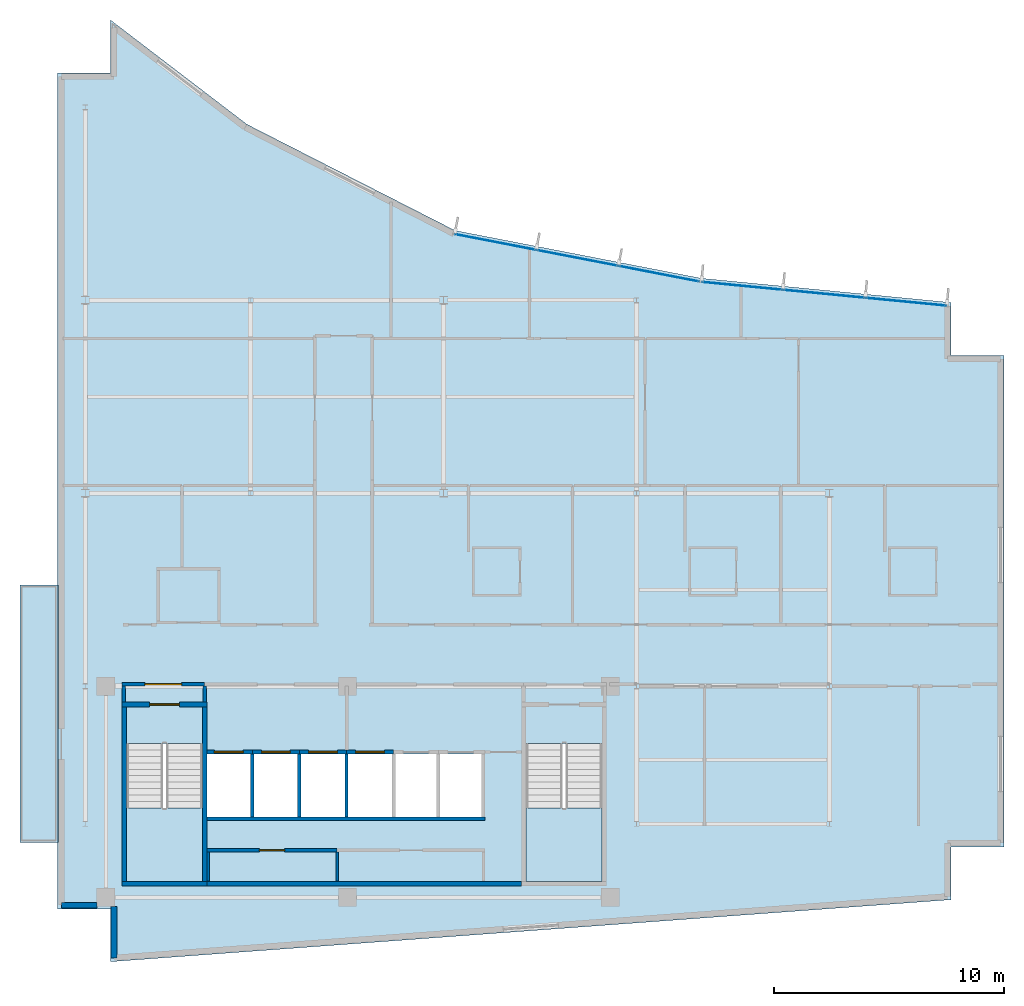
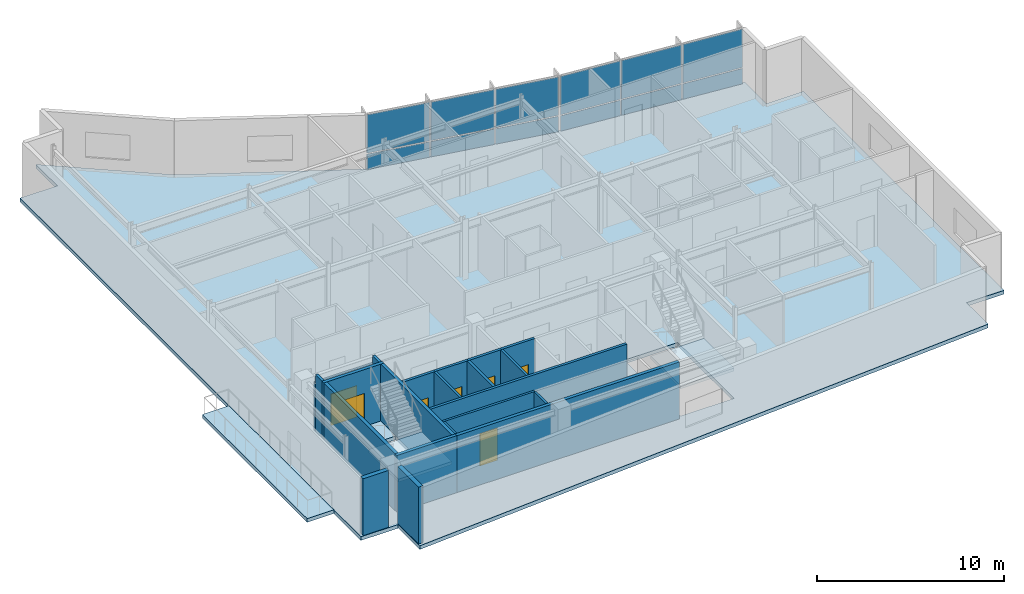
# One storey, part 9 of 16: 21 walls, 12 plates, 7 doors, 4 slabs, 7 openings, 4 elements without a shape of their own.
"""IFC4 building model written with IfcOpenShell, lengths in metres."""

from ifc_helpers import new_model, si_unit, direction, frame, frame_2d, origin, origin_2d, place, context, subcontext, project, spatial, polyline, rectangle, outline, extrude, material, layer, layer_set, type_object, element, fill, aggregate, save


model = new_model("IFC4")

# Units and contexts
model_context = context("Model", 3, precision=1e-05, world=origin(), true_north=direction((0.0, 1.0)))
body_context = subcontext(model_context, "Body", "Model", "MODEL_VIEW")
ifc_project = project(units=[si_unit("LENGTHUNIT", "METRE"), si_unit("AREAUNIT", "SQUARE_METRE"), si_unit("VOLUMEUNIT", "CUBIC_METRE"), si_unit("PLANEANGLEUNIT", "RADIAN"), si_unit("MASSUNIT", "GRAM", prefix="KILO")], contexts=[model_context])

# Site, building, storey
site_placement = place(None, origin())
site = spatial("IfcSite", under=ifc_project, at=site_placement, CompositionType="ELEMENT")
building_placement = place(site_placement, origin())
building = spatial("IfcBuilding", under=site, at=building_placement, Name="Varnakote Quay Hospital", CompositionType="ELEMENT")
storey_placement = place(building_placement, frame((0.0, 0.0, 280.25)))
storey = spatial("IfcBuildingStorey", under=building, at=storey_placement, Name="L69", CompositionType="ELEMENT", Elevation=280.25)

# Curtain wall, plates
ifc_material_1 = material(Name="Anodised aluminium 6063-T6 Bronze", Category="aluminium")
ifc_layer_1 = layer(ifc_material_1, 0.235107421875)
ifc_layer_set_1 = layer_set([ifc_layer_1], Name="Anodised aluminium 6063-T6 Bronze")
curtain_wall_type = type_object("IfcCurtainWallType", Name="CW-SYS-5", PredefinedType="NOTDEFINED", material=ifc_layer_set_1)
curtain_wall_1_placement = place(storey_placement, origin())
curtain_wall_1 = element("IfcCurtainWall", 1, at=curtain_wall_1_placement, inside=storey, type_object=curtain_wall_type, Name="L69 Unitised Bronze Curtain Wall 1", PredefinedType="NOTDEFINED")
ifc_material_2 = material(Name="Double-glazed low-E solar glass", Category="glass")
ifc_layer_2 = layer(ifc_material_2, 0.028076171875)
ifc_layer_set_2 = layer_set([ifc_layer_2], Name="Double-glazed low-E solar glass")
plate_type = type_object("IfcPlateType", Name="CW-PNL-GLZ-28", PredefinedType="CURTAIN_PANEL", material=ifc_layer_set_2)
plate_1_placement = place(storey_placement, frame((36.9326171875, 28.730224609375, 0.06494140625), z_axis=(0.0, 0.0, 1.0), x_axis=(-0.995326295192, 0.096568970683, 0.0)))
plate_1 = element("IfcPlate", 2, at=plate_1_placement, type_object=plate_type, Name="-5-L69-1 panel 1.1", PredefinedType="CURTAIN_PANEL", context=body_context, shape_type="SweptSolid", body=[
    extrude(rectangle(XDim=3.501708984375, YDim=0.028076171875, at=origin_2d()), origin(), (0.0, 0.0, 1.0), 1.00244140625),
])
plate_2_placement = place(storey_placement, frame((36.9326171875, 28.730224609375, 1.13232421875), z_axis=(0.0, 0.0, 1.0), x_axis=(-0.995326295192, 0.096568970683, 0.0)))
plate_2 = element("IfcPlate", 3, at=plate_2_placement, type_object=plate_type, Name="-5-L69-1 panel 1.2", PredefinedType="CURTAIN_PANEL", context=body_context, shape_type="SweptSolid", body=[
    extrude(rectangle(XDim=3.501708984375, YDim=0.028076171875, at=origin_2d()), origin(), (0.0, 0.0, 1.0), 2.512451171875),
])
plate_3_placement = place(storey_placement, frame((33.366455078125, 29.076171875, 0.06494140625), z_axis=(0.0, 0.0, 1.0), x_axis=(-0.995326295192, 0.096568970683, 0.0)))
plate_3 = element("IfcPlate", 4, at=plate_3_placement, type_object=plate_type, Name="-5-L69-1 panel 2.1", PredefinedType="CURTAIN_PANEL", context=body_context, shape_type="SweptSolid", body=[
    extrude(rectangle(XDim=3.5341796875, YDim=0.028076171875, at=origin_2d()), origin(), (0.0, 0.0, 1.0), 1.00244140625),
])
plate_4_placement = place(storey_placement, frame((33.366455078125, 29.076171875, 1.13232421875), z_axis=(0.0, 0.0, 1.0), x_axis=(-0.995326295192, 0.096568970683, 0.0)))
plate_4 = element("IfcPlate", 5, at=plate_4_placement, type_object=plate_type, Name="-5-L69-1 panel 2.2", PredefinedType="CURTAIN_PANEL", context=body_context, shape_type="SweptSolid", body=[
    extrude(rectangle(XDim=3.5341796875, YDim=0.028076171875, at=origin_2d()), origin(), (0.0, 0.0, 1.0), 2.512451171875),
])
plate_5_placement = place(storey_placement, frame((29.80029296875, 29.422119140625, 0.06494140625), z_axis=(0.0, 0.0, 1.0), x_axis=(-0.995326295192, 0.096568970683, 0.0)))
plate_5 = element("IfcPlate", 6, at=plate_5_placement, type_object=plate_type, Name="-5-L69-1 panel 3.1", PredefinedType="CURTAIN_PANEL", context=body_context, shape_type="SweptSolid", body=[
    extrude(rectangle(XDim=3.501708984375, YDim=0.028076171875, at=origin_2d()), origin(), (0.0, 0.0, 1.0), 1.00244140625),
])
plate_6_placement = place(storey_placement, frame((29.80029296875, 29.422119140625, 1.13232421875), z_axis=(0.0, 0.0, 1.0), x_axis=(-0.995326295192, 0.096568970683, 0.0)))
plate_6 = element("IfcPlate", 7, at=plate_6_placement, type_object=plate_type, Name="-5-L69-1 panel 3.2", PredefinedType="CURTAIN_PANEL", context=body_context, shape_type="SweptSolid", body=[
    extrude(rectangle(XDim=3.501708984375, YDim=0.028076171875, at=origin_2d()), origin(), (0.0, 0.0, 1.0), 2.512451171875),
])
aggregate(curtain_wall_1, [plate_1, plate_2, plate_3, plate_4, plate_5, plate_6])

curtain_wall_2_placement = place(storey_placement, origin())
curtain_wall_2 = element("IfcCurtainWall", 8, at=curtain_wall_2_placement, inside=storey, type_object=curtain_wall_type, Name="L69 Unitised Bronze Curtain Wall 2", PredefinedType="NOTDEFINED")
plate_7_placement = place(storey_placement, frame((26.186767578125, 29.947998046875, 0.06494140625), z_axis=(0.0, 0.0, 1.0), x_axis=(-0.981699958418, 0.190434218676, 0.0)))
plate_7 = element("IfcPlate", 9, at=plate_7_placement, type_object=plate_type, Name="-5-L69-2 panel 1.1", PredefinedType="CURTAIN_PANEL", context=body_context, shape_type="SweptSolid", body=[
    extrude(rectangle(XDim=3.5498046875, YDim=0.028076171875, at=origin_2d()), origin(), (0.0, 0.0, 1.0), 1.00244140625),
])
plate_8_placement = place(storey_placement, frame((26.186767578125, 29.947998046875, 1.13232421875), z_axis=(0.0, 0.0, 1.0), x_axis=(-0.981699958418, 0.190434218676, 0.0)))
plate_8 = element("IfcPlate", 10, at=plate_8_placement, type_object=plate_type, Name="-5-L69-2 panel 1.2", PredefinedType="CURTAIN_PANEL", context=body_context, shape_type="SweptSolid", body=[
    extrude(rectangle(XDim=3.5498046875, YDim=0.028076171875, at=origin_2d()), origin(), (0.0, 0.0, 1.0), 2.512451171875),
])
plate_9_placement = place(storey_placement, frame((22.622314453125, 30.639404296875, 0.06494140625), z_axis=(0.0, 0.0, 1.0), x_axis=(-0.981699958418, 0.190434218676, 0.0)))
plate_9 = element("IfcPlate", 11, at=plate_9_placement, type_object=plate_type, Name="-5-L69-2 panel 2.1", PredefinedType="CURTAIN_PANEL", context=body_context, shape_type="SweptSolid", body=[
    extrude(rectangle(XDim=3.582275390625, YDim=0.028076171875, at=origin_2d()), origin(), (0.0, 0.0, 1.0), 1.00244140625),
])
plate_10_placement = place(storey_placement, frame((22.622314453125, 30.639404296875, 1.13232421875), z_axis=(0.0, 0.0, 1.0), x_axis=(-0.981699958418, 0.190434218676, 0.0)))
plate_10 = element("IfcPlate", 12, at=plate_10_placement, type_object=plate_type, Name="-5-L69-2 panel 2.2", PredefinedType="CURTAIN_PANEL", context=body_context, shape_type="SweptSolid", body=[
    extrude(rectangle(XDim=3.582275390625, YDim=0.028076171875, at=origin_2d()), origin(), (0.0, 0.0, 1.0), 2.512451171875),
])
plate_11_placement = place(storey_placement, frame((19.0576171875, 31.330810546875, 0.06494140625), z_axis=(0.0, 0.0, 1.0), x_axis=(-0.981699958418, 0.190434218676, 0.0)))
plate_11 = element("IfcPlate", 13, at=plate_11_placement, type_object=plate_type, Name="-5-L69-2 panel 3.1", PredefinedType="CURTAIN_PANEL", context=body_context, shape_type="SweptSolid", body=[
    extrude(rectangle(XDim=3.5498046875, YDim=0.028076171875, at=origin_2d()), origin(), (0.0, 0.0, 1.0), 1.00244140625),
])
plate_12_placement = place(storey_placement, frame((19.0576171875, 31.330810546875, 1.13232421875), z_axis=(0.0, 0.0, 1.0), x_axis=(-0.981699958418, 0.190434218676, 0.0)))
plate_12 = element("IfcPlate", 14, at=plate_12_placement, type_object=plate_type, Name="-5-L69-2 panel 3.2", PredefinedType="CURTAIN_PANEL", context=body_context, shape_type="SweptSolid", body=[
    extrude(rectangle(XDim=3.5498046875, YDim=0.028076171875, at=origin_2d()), origin(), (0.0, 0.0, 1.0), 2.512451171875),
])
aggregate(curtain_wall_2, [plate_7, plate_8, plate_9, plate_10, plate_11, plate_12])

# Stair, slab
ifc_material_3 = material(Name="Concrete N40 (f'c 40 MPa)", Category="concrete")
stair_type = type_object("IfcStairType", Name="STR-CORE-1580", PredefinedType="HALF_TURN_STAIR", material=ifc_material_3)
stair_1_placement = place(storey_placement, origin())
stair_1 = element("IfcStair", 15, at=stair_1_placement, inside=storey, type_object=stair_type, Name="L69 Fire-Isolated Exit Stair ST-01", PredefinedType="HALF_TURN_STAIR")
ifc_material_4 = material(Name="Concrete N40 (f'c 40 MPa)", Category="concrete")
ifc_layer_3 = layer(ifc_material_4, 0.199951171875)
ifc_layer_set_3 = layer_set([ifc_layer_3], Name="Concrete N40 (f'c 40 MPa)")
slab_type_1 = type_object("IfcSlabType", Name="SLB-STAIR-LND-200", PredefinedType="LANDING", material=ifc_layer_set_3)
slab_1_placement = place(storey_placement, frame((0.0, 0.0, 1.77490234375)))
slab_1 = element("IfcSlab", 16, at=slab_1_placement, type_object=slab_type_1, Name="ST-01 landing 1", PredefinedType="LANDING", context=body_context, shape_type="SweptSolid", body=[
    extrude(outline(polyline([(3.0, 6.699951171875), (3.0, 3.5), (6.300048828125, 3.5), (6.300048828125, 6.699951171875), (3.0, 6.699951171875)])), origin(), (0.0, 0.0, 1.0), 0.2001953125),
])
aggregate(stair_1, [slab_1])

stair_2_placement = place(storey_placement, origin())
stair_2 = element("IfcStair", 17, at=stair_2_placement, inside=storey, type_object=stair_type, Name="L69 Fire-Isolated Exit Stair ST-02", PredefinedType="HALF_TURN_STAIR")
slab_2_placement = place(storey_placement, frame((0.0, 0.0, 1.77490234375)))
slab_2 = element("IfcSlab", 18, at=slab_2_placement, type_object=slab_type_1, Name="ST-02 landing 1", PredefinedType="LANDING", context=body_context, shape_type="SweptSolid", body=[
    extrude(outline(polyline([(20.39990234375, 6.699951171875), (20.39990234375, 3.5), (23.699951171875, 3.5), (23.699951171875, 6.699951171875), (20.39990234375, 6.699951171875)])), origin(), (0.0, 0.0, 1.0), 0.2001953125),
])
aggregate(stair_2, [slab_2])

# Slabs
ifc_material_5 = material(Name="Concrete N50 (f'c 50 MPa)", Category="concrete")
ifc_layer_4 = layer(ifc_material_5, 0.239990234375)
ifc_layer_set_4 = layer_set([ifc_layer_4], Name="Concrete N50 (f'c 50 MPa)")
slab_type_2 = type_object("IfcSlabType", Name="SLB-TERR-200", PredefinedType="FLOOR", material=ifc_layer_set_4)
slab_3_placement = place(storey_placement, frame((0.0, 0.0, -0.239990234375)))
element("IfcSlab", 19, at=slab_3_placement, inside=storey, type_object=slab_type_2, Name="L69 Waterfront Healing Terrace Slab", PredefinedType="FLOOR", context=body_context, shape_type="SweptSolid", body=[
    extrude(outline(polyline([(0.00390625, 5.199951171875), (0.00390625, 16.39990234375), (-1.639892578125, 16.39990234375), (-1.639892578125, 5.199951171875), (0.00390625, 5.199951171875)])), origin(), (0.0, 0.0, 1.0), 0.239990234375),
])
ifc_material_6 = material(Name="Concrete N50 (f'c 50 MPa)", Category="concrete")
ifc_layer_5 = layer(ifc_material_6, 0.239990234375)
ifc_layer_set_5 = layer_set([ifc_layer_5], Name="Concrete N50 (f'c 50 MPa)")
slab_type_3 = type_object("IfcSlabType", Name="SLB-WARD-200", PredefinedType="FLOOR", material=ifc_layer_set_5)
slab_4_placement = place(storey_placement, frame((0.0, 0.0, -0.239990234375)))
element("IfcSlab", 20, at=slab_4_placement, inside=storey, type_object=slab_type_3, Name="L69 Primary Floor Slab", PredefinedType="FLOOR", context=body_context, shape_type="SweptSolid", body=[
    extrude(outline(polyline([(0.0, 2.300048828125), (2.300048828125, 2.300048828125), (2.300048828125, 0.0), (38.89990234375, 2.699951171875), (38.89990234375, 5.0), (41.199951171875, 5.0), (41.199951171875, 26.39990234375), (38.89990234375, 26.39990234375), (38.89990234375, 28.699951171875), (28.01611328125, 29.756103515625), (17.303955078125, 31.833984375), (8.239990234375, 36.4599609375), (2.300048828125, 41.0), (2.300048828125, 38.699951171875), (0.0, 38.699951171875), (0.0, 2.300048828125)]), holes=[polyline([(3.0, 3.5), (6.300048828125, 3.5), (6.300048828125, 9.49951171875), (3.0, 9.49951171875), (3.0, 3.5)]), polyline([(20.39990234375, 3.5), (23.699951171875, 3.5), (23.699951171875, 9.49951171875), (20.39990234375, 9.49951171875), (20.39990234375, 3.5)]), polyline([(6.5, 6.300048828125), (8.39990234375, 6.300048828125), (8.39990234375, 9.050048828125), (6.5, 9.050048828125), (6.5, 6.300048828125)]), polyline([(8.550048828125, 6.300048828125), (10.449951171875, 6.300048828125), (10.449951171875, 9.050048828125), (8.550048828125, 9.050048828125), (8.550048828125, 6.300048828125)]), polyline([(10.60009765625, 6.300048828125), (12.5, 6.300048828125), (12.5, 9.050048828125), (10.60009765625, 9.050048828125), (10.60009765625, 6.300048828125)]), polyline([(12.64990234375, 6.300048828125), (14.550048828125, 6.300048828125), (14.550048828125, 9.050048828125), (12.64990234375, 9.050048828125), (12.64990234375, 6.300048828125)]), polyline([(14.699951171875, 6.300048828125), (16.5, 6.300048828125), (16.5, 9.050048828125), (14.699951171875, 9.050048828125), (14.699951171875, 6.300048828125)]), polyline([(16.64990234375, 6.300048828125), (18.449951171875, 6.300048828125), (18.449951171875, 9.050048828125), (16.64990234375, 9.050048828125), (16.64990234375, 6.300048828125)])]), origin(), (0.0, 0.0, 1.0), 0.239990234375),
])

# Wall
ifc_material_7 = material(Name="Fire-rated acoustic gypsum stud wall", Category="gypsum")
ifc_layer_6 = layer(ifc_material_7, 0.159912109375)
ifc_layer_set_6 = layer_set([ifc_layer_6], Name="Fire-rated acoustic gypsum stud wall")
wall_type_1 = type_object("IfcWallType", Name="WL-COMP-160", PredefinedType="PARTITIONING", material=ifc_layer_set_6)
wall_1_placement = place(storey_placement, frame((2.8798828125, 11.300048828125, 0.0), z_axis=(0.0, 0.0, 1.0), x_axis=(0.0, 1.0, 0.0)))
element("IfcWall", 21, at=wall_1_placement, inside=storey, type_object=wall_type_1, Name="L69 West Stair Vestibule West Wall", PredefinedType="PARTITIONING", context=body_context, shape_type="SweptSolid", body=[
    extrude(rectangle(XDim=0.699951171875, YDim=0.159912109375, at=frame_2d((0.35009765625, 0.0))), origin(), (0.0, 0.0, 1.0), 3.7099609375),
])

# Wall, opening, door
wall_2_placement = place(storey_placement, frame((2.800048828125, 12.080078125, 0.0), z_axis=(0.0, 0.0, 1.0), x_axis=(1.0, 0.0, 0.0)))
wall_2 = element("IfcWall", 22, at=wall_2_placement, inside=storey, type_object=wall_type_1, Name="L69 West Stair Vestibule Smoke Wall", PredefinedType="PARTITIONING", context=body_context, shape_type="SweptSolid", body=[
    extrude(rectangle(XDim=3.599853515625, YDim=0.159912109375, at=frame_2d((1.7998046875, 0.0))), origin(), (0.0, 0.0, 1.0), 3.156982421875),
])
opening_1_placement = place(wall_2_placement, frame((1.0, 0.0, 0.0)))
opening_1 = element("IfcOpeningElement", 23, at=opening_1_placement, cuts=wall_2, Name="Opening D-ST1L-L69", PredefinedType="OPENING", context=body_context, shape_type="SweptSolid", body=[
    extrude(rectangle(XDim=1.60009765625, YDim=2.050048828125, at=frame_2d((0.800048828125, 1.02490234375))), frame((0.0, 0.08984375, 0.0), z_axis=(0.0, -1.0, 0.0), x_axis=(1.0, 0.0, 0.0)), (0.0, 0.0, 1.0), 0.179931640625),
])
ifc_material_8 = material(Name="Fire-rated double smoke lobby door")
door_type_1 = type_object("IfcDoorType", Name="DR-LOBBY-FD60S-1600x2150", OperationType="NOTDEFINED", PredefinedType="DOOR", material=ifc_material_8)
door_1_placement = place(opening_1_placement, origin())
door_1 = element("IfcDoor", 24, at=door_1_placement, inside=storey, type_object=door_type_1, Name="L69 West Stair Vestibule Smoke Door", OperationType="DOUBLE_DOOR_SINGLE_SWING", OverallHeight=2.050048828125, OverallWidth=1.60009765625, PredefinedType="DOOR", context=body_context, shape_type="SweptSolid", body=[
    extrude(rectangle(XDim=1.60009765625, YDim=2.050048828125, at=frame_2d((0.800048828125, 1.02490234375))), frame((0.0, 0.02490234375, 0.0), z_axis=(0.0, -1.0, 0.0), x_axis=(1.0, 0.0, 0.0)), (0.0, 0.0, 1.0), 0.050048828125),
])
fill(opening_1, door_1)

# Walls
wall_3_placement = place(storey_placement, frame((6.39990234375, 11.300048828125, 0.0), z_axis=(0.0, 0.0, 1.0), x_axis=(0.0, 1.0, 0.0)))
element("IfcWall", 25, at=wall_3_placement, inside=storey, type_object=wall_type_1, Name="L69 Firefighting Lobby West Wall", PredefinedType="PARTITIONING", context=body_context, shape_type="SweptSolid", body=[
    extrude(rectangle(XDim=0.699951171875, YDim=0.159912109375, at=frame_2d((0.35009765625, 0.0))), origin(), (0.0, 0.0, 1.0), 3.7099609375),
])
ifc_material_9 = material(Name="Concrete N50 (f'c 50 MPa)", Category="concrete")
ifc_layer_7 = layer(ifc_material_9, 0.199951171875)
ifc_layer_set_7 = layer_set([ifc_layer_7], Name="Concrete N50 (f'c 50 MPa)")
wall_type_2 = type_object("IfcWallType", Name="WL-CORE-N50-200", PredefinedType="SHEAR", material=ifc_layer_set_7)
wall_4_placement = place(storey_placement, frame((6.5, 3.39990234375, 0.0), z_axis=(0.0, 0.0, 1.0), x_axis=(1.0, 0.0, 0.0)))
element("IfcWall", 26, at=wall_4_placement, inside=storey, type_object=wall_type_2, Name="L69 Rear Core South Shear Wall", PredefinedType="SHEAR", context=body_context, shape_type="SweptSolid", body=[
    extrude(rectangle(XDim=13.699951171875, YDim=0.199951171875, at=frame_2d((6.85009765625, 0.0))), origin(), (0.0, 0.0, 1.0), 3.7099609375),
])
ifc_material_10 = material(Name="Precast concrete N50 (f'c 50 MPa)", Category="concrete")
ifc_layer_8 = layer(ifc_material_10, 0.260009765625)
ifc_layer_set_8 = layer_set([ifc_layer_8], Name="Precast concrete N50 (f'c 50 MPa)")
wall_type_3 = type_object("IfcWallType", Name="WL-EXT-BRICK-260", PredefinedType="STANDARD", material=ifc_layer_set_8)
wall_5_placement = place(storey_placement, frame((2.4599609375, 2.4150390625, 0.0), z_axis=(0.0, 0.0, 1.0), x_axis=(0.0, -1.0, 0.0)))
element("IfcWall", 27, at=wall_5_placement, inside=storey, type_object=wall_type_3, Name="L69 Brick-Faced Precast Exterior Wall", PredefinedType="STANDARD", context=body_context, shape_type="SweptSolid", body=[
    extrude(rectangle(XDim=2.242919921875, YDim=0.260009765625, at=frame_2d((1.12158203125, 0.0))), origin(), (0.0, 0.0, 1.0), 3.7099609375),
])
wall_6_placement = place(storey_placement, frame((0.159912109375, 2.4599609375, 0.0), z_axis=(0.0, 0.0, 1.0), x_axis=(1.0, 0.0, 0.0)))
element("IfcWall", 28, at=wall_6_placement, inside=storey, type_object=wall_type_3, Name="L69 Brick-Faced Precast Exterior Wall", PredefinedType="STANDARD", context=body_context, shape_type="SweptSolid", body=[
    extrude(rectangle(XDim=1.55517578125, YDim=0.260009765625, at=frame_2d((0.777587890625, 0.0))), origin(), (0.0, 0.0, 1.0), 3.7099609375),
])
ifc_material_11 = material(Name="Concrete N50 (f'c 50 MPa)", Category="concrete")
ifc_layer_9 = layer(ifc_material_11, 0.14990234375)
ifc_layer_set_9 = layer_set([ifc_layer_9], Name="Concrete N50 (f'c 50 MPa)")
wall_type_4 = type_object("IfcWallType", Name="WL-SHAFT-N50-150", PredefinedType="SHEAR", material=ifc_layer_set_9)
for number, where, z_axis, x_axis, name in (
    (29, (8.47509765625, 6.300048828125, 0.0), (0.0, 0.0, 1.0), (0.0, 1.0, 0.0), "L69 LF-FF1 Hoistway Divider Wall"),
    (30, (10.52490234375, 6.300048828125, 0.0), (0.0, 0.0, 1.0), (0.0, 1.0, 0.0), "L69 LF-FF2 Hoistway Divider Wall"),
    (31, (12.574951171875, 6.300048828125, 0.0), (0.0, 0.0, 1.0), (0.0, 1.0, 0.0), "L69 LF-SV1 Hoistway Divider Wall"),
):
    element("IfcWall", number, at=place(storey_placement, frame(where, z_axis=z_axis, x_axis=x_axis)), inside=storey, type_object=wall_type_4, Name=name, PredefinedType="SHEAR", context=body_context, shape_type="SweptSolid", body=[
        extrude(rectangle(XDim=2.75, YDim=0.14990234375, at=frame_2d((1.375, 0.0))), origin(), (0.0, 0.0, 1.0), 3.7099609375),
    ])
ifc_material_12 = material(Name="Concrete N50 (f'c 50 MPa)", Category="concrete")
ifc_layer_10 = layer(ifc_material_12, 0.159912109375)
ifc_layer_set_10 = layer_set([ifc_layer_10], Name="Concrete N50 (f'c 50 MPa)")
wall_type_5 = type_object("IfcWallType", Name="WL-SHAFT-N50-160", PredefinedType="SHEAR", material=ifc_layer_set_10)
wall_7_placement = place(storey_placement, frame((6.5, 6.219970703125, 0.0), z_axis=(0.0, 0.0, 1.0), x_axis=(1.0, 0.0, 0.0)))
element("IfcWall", 32, at=wall_7_placement, inside=storey, type_object=wall_type_5, Name="L69 REAR Lift Bank Back Shear Wall", PredefinedType="SHEAR", context=body_context, shape_type="SweptSolid", body=[
    extrude(rectangle(XDim=12.110107421875, YDim=0.159912109375, at=frame_2d((6.05517578125, 0.0))), origin(), (0.0, 0.0, 1.0), 3.7099609375),
])

# Wall, opening, door
wall_8_placement = place(storey_placement, frame((6.5, 9.1298828125, 0.0), z_axis=(0.0, 0.0, 1.0), x_axis=(1.0, 0.0, 0.0)))
wall_8 = element("IfcWall", 33, at=wall_8_placement, inside=storey, type_object=wall_type_5, Name="L69 LF-FF1 Hoistway Front Wall", PredefinedType="SHEAR", context=body_context, shape_type="SweptSolid", body=[
    extrude(rectangle(XDim=1.97509765625, YDim=0.159912109375, at=frame_2d((0.987548828125, 0.0))), origin(), (0.0, 0.0, 1.0), 3.7099609375),
])
opening_2_placement = place(wall_8_placement, frame((0.324951171875, 0.0, 0.0)))
opening_2 = element("IfcOpeningElement", 34, at=opening_2_placement, cuts=wall_8, Name="Opening LD-FF1-L69", PredefinedType="OPENING", context=body_context, shape_type="SweptSolid", body=[
    extrude(rectangle(XDim=1.25, YDim=2.14990234375, at=frame_2d((0.625, 1.074951171875))), frame((0.0, 0.08984375, 0.0), z_axis=(0.0, -1.0, 0.0), x_axis=(1.0, 0.0, 0.0)), (0.0, 0.0, 1.0), 0.179931640625),
])
ifc_material_13 = material(Name="Stainless steel lift landing sliding door", Category="steel")
door_type_2 = type_object("IfcDoorType", Name="DR-LIFT-LD-1250x2150", OperationType="NOTDEFINED", PredefinedType="DOOR", material=ifc_material_13)
door_2_placement = place(opening_2_placement, origin())
door_2 = element("IfcDoor", 35, at=door_2_placement, inside=storey, type_object=door_type_2, Name="L69 LF-FF1 Lift Landing Sliding Door", OperationType="SLIDING_TO_LEFT", OverallHeight=2.14990234375, OverallWidth=1.25, PredefinedType="DOOR", context=body_context, shape_type="SweptSolid", body=[
    extrude(rectangle(XDim=1.25, YDim=2.14990234375, at=frame_2d((0.625, 1.074951171875))), frame((0.0, 0.02490234375, 0.0), z_axis=(0.0, -1.0, 0.0), x_axis=(1.0, 0.0, 0.0)), (0.0, 0.0, 1.0), 0.050048828125),
])
fill(opening_2, door_2)

wall_9_placement = place(storey_placement, frame((8.47509765625, 9.1298828125, 0.0), z_axis=(0.0, 0.0, 1.0), x_axis=(1.0, 0.0, 0.0)))
wall_9 = element("IfcWall", 36, at=wall_9_placement, inside=storey, type_object=wall_type_5, Name="L69 LF-FF2 Hoistway Front Wall", PredefinedType="SHEAR", context=body_context, shape_type="SweptSolid", body=[
    extrude(rectangle(XDim=2.0498046875, YDim=0.159912109375, at=frame_2d((1.02490234375, 0.0))), origin(), (0.0, 0.0, 1.0), 3.7099609375),
])
opening_3_placement = place(wall_9_placement, frame((0.39990234375, 0.0, 0.0)))
opening_3 = element("IfcOpeningElement", 37, at=opening_3_placement, cuts=wall_9, Name="Opening LD-FF2-L69", PredefinedType="OPENING", context=body_context, shape_type="SweptSolid", body=[
    extrude(rectangle(XDim=1.25, YDim=2.14990234375, at=frame_2d((0.625, 1.074951171875))), frame((0.0, 0.08984375, 0.0), z_axis=(0.0, -1.0, 0.0), x_axis=(1.0, 0.0, 0.0)), (0.0, 0.0, 1.0), 0.179931640625),
])
door_3_placement = place(opening_3_placement, origin())
door_3 = element("IfcDoor", 38, at=door_3_placement, inside=storey, type_object=door_type_2, Name="L69 LF-FF2 Lift Landing Sliding Door", OperationType="SLIDING_TO_LEFT", OverallHeight=2.14990234375, OverallWidth=1.25, PredefinedType="DOOR", context=body_context, shape_type="SweptSolid", body=[
    extrude(rectangle(XDim=1.25, YDim=2.14990234375, at=frame_2d((0.625, 1.074951171875))), frame((0.0, 0.02490234375, 0.0), z_axis=(0.0, -1.0, 0.0), x_axis=(1.0, 0.0, 0.0)), (0.0, 0.0, 1.0), 0.050048828125),
])
fill(opening_3, door_3)

wall_10_placement = place(storey_placement, frame((10.52490234375, 9.1298828125, 0.0), z_axis=(0.0, 0.0, 1.0), x_axis=(1.0, 0.0, 0.0)))
wall_10 = element("IfcWall", 39, at=wall_10_placement, inside=storey, type_object=wall_type_5, Name="L69 LF-SV1 Hoistway Front Wall", PredefinedType="SHEAR", context=body_context, shape_type="SweptSolid", body=[
    extrude(rectangle(XDim=2.050048828125, YDim=0.159912109375, at=frame_2d((1.02490234375, 0.0))), origin(), (0.0, 0.0, 1.0), 3.7099609375),
])
opening_4_placement = place(wall_10_placement, frame((0.39990234375, 0.0, 0.0)))
opening_4 = element("IfcOpeningElement", 40, at=opening_4_placement, cuts=wall_10, Name="Opening LD-SV1-L69", PredefinedType="OPENING", context=body_context, shape_type="SweptSolid", body=[
    extrude(rectangle(XDim=1.25, YDim=2.14990234375, at=frame_2d((0.625, 1.074951171875))), frame((0.0, 0.08984375, 0.0), z_axis=(0.0, -1.0, 0.0), x_axis=(1.0, 0.0, 0.0)), (0.0, 0.0, 1.0), 0.179931640625),
])
door_4_placement = place(opening_4_placement, origin())
door_4 = element("IfcDoor", 41, at=door_4_placement, inside=storey, type_object=door_type_2, Name="L69 LF-SV1 Lift Landing Sliding Door", OperationType="SLIDING_TO_LEFT", OverallHeight=2.14990234375, OverallWidth=1.25, PredefinedType="DOOR", context=body_context, shape_type="SweptSolid", body=[
    extrude(rectangle(XDim=1.25, YDim=2.14990234375, at=frame_2d((0.625, 1.074951171875))), frame((0.0, 0.02490234375, 0.0), z_axis=(0.0, -1.0, 0.0), x_axis=(1.0, 0.0, 0.0)), (0.0, 0.0, 1.0), 0.050048828125),
])
fill(opening_4, door_4)

wall_11_placement = place(storey_placement, frame((12.574951171875, 9.1298828125, 0.0), z_axis=(0.0, 0.0, 1.0), x_axis=(1.0, 0.0, 0.0)))
wall_11 = element("IfcWall", 42, at=wall_11_placement, inside=storey, type_object=wall_type_5, Name="L69 LF-SV2 Hoistway Front Wall", PredefinedType="SHEAR", context=body_context, shape_type="SweptSolid", body=[
    extrude(rectangle(XDim=2.050048828125, YDim=0.159912109375, at=frame_2d((1.02490234375, 0.0))), origin(), (0.0, 0.0, 1.0), 3.7099609375),
])
opening_5_placement = place(wall_11_placement, frame((0.39990234375, 0.0, 0.0)))
opening_5 = element("IfcOpeningElement", 43, at=opening_5_placement, cuts=wall_11, Name="Opening LD-SV2-L69", PredefinedType="OPENING", context=body_context, shape_type="SweptSolid", body=[
    extrude(rectangle(XDim=1.25, YDim=2.14990234375, at=frame_2d((0.625, 1.074951171875))), frame((0.0, 0.08984375, 0.0), z_axis=(0.0, -1.0, 0.0), x_axis=(1.0, 0.0, 0.0)), (0.0, 0.0, 1.0), 0.179931640625),
])
door_5_placement = place(opening_5_placement, origin())
door_5 = element("IfcDoor", 44, at=door_5_placement, inside=storey, type_object=door_type_2, Name="L69 LF-SV2 Lift Landing Sliding Door", OperationType="SLIDING_TO_LEFT", OverallHeight=2.14990234375, OverallWidth=1.25, PredefinedType="DOOR", context=body_context, shape_type="SweptSolid", body=[
    extrude(rectangle(XDim=1.25, YDim=2.14990234375, at=frame_2d((0.625, 1.074951171875))), frame((0.0, 0.02490234375, 0.0), z_axis=(0.0, -1.0, 0.0), x_axis=(1.0, 0.0, 0.0)), (0.0, 0.0, 1.0), 0.050048828125),
])
fill(opening_5, door_5)

# Walls
ifc_material_14 = material(Name="Concrete N50 (f'c 50 MPa)", Category="concrete")
ifc_layer_11 = layer(ifc_material_14, 0.199951171875)
ifc_layer_set_11 = layer_set([ifc_layer_11], Name="Concrete N50 (f'c 50 MPa)")
wall_type_6 = type_object("IfcWallType", Name="WL-SHAFT-N50-200", PredefinedType="SHEAR", material=ifc_layer_set_11)
wall_12_placement = place(storey_placement, frame((2.800048828125, 3.39990234375, 0.0), z_axis=(0.0, 0.0, 1.0), x_axis=(1.0, 0.0, 0.0)))
element("IfcWall", 45, at=wall_12_placement, inside=storey, type_object=wall_type_6, Name="L69 Stair ST1 South Shaft Wall", PredefinedType="SHEAR", context=body_context, shape_type="SweptSolid", body=[
    extrude(rectangle(XDim=3.699951171875, YDim=0.199951171875, at=frame_2d((1.85009765625, 0.0))), origin(), (0.0, 0.0, 1.0), 3.7099609375),
])
for number, where, z_axis, x_axis, name in (
    (46, (2.89990234375, 3.5, 0.0), (0.0, 0.0, 1.0), (0.0, 1.0, 0.0), "L69 Stair ST1 West Shaft Wall"),
    (47, (6.39990234375, 3.5, 0.0), (0.0, 0.0, 1.0), (0.0, 1.0, 0.0), "L69 Stair ST1 East Shaft Wall"),
):
    element("IfcWall", number, at=place(storey_placement, frame(where, z_axis=z_axis, x_axis=x_axis)), inside=storey, type_object=wall_type_6, Name=name, PredefinedType="SHEAR", context=body_context, shape_type="SweptSolid", body=[
        extrude(rectangle(XDim=7.60009765625, YDim=0.199951171875, at=frame_2d((3.800048828125, 0.0))), origin(), (0.0, 0.0, 1.0), 3.7099609375),
    ])

# Wall, opening, door
wall_13_placement = place(storey_placement, frame((2.800048828125, 11.199951171875, 0.0), z_axis=(0.0, 0.0, 1.0), x_axis=(1.0, 0.0, 0.0)))
wall_13 = element("IfcWall", 48, at=wall_13_placement, inside=storey, type_object=wall_type_6, Name="L69 Stair ST1 Exit Wall", PredefinedType="SHEAR", context=body_context, shape_type="SweptSolid", body=[
    extrude(rectangle(XDim=3.699951171875, YDim=0.199951171875, at=frame_2d((1.85009765625, 0.0))), origin(), (0.0, 0.0, 1.0), 3.7099609375),
])
opening_6_placement = place(wall_13_placement, frame((1.199951171875, 0.0, 0.0)))
opening_6 = element("IfcOpeningElement", 49, at=opening_6_placement, cuts=wall_13, Name="Opening D-ST1-L69", PredefinedType="OPENING", context=body_context, shape_type="SweptSolid", body=[
    extrude(rectangle(XDim=1.300048828125, YDim=2.14990234375, at=frame_2d((0.64990234375, 1.074951171875))), frame((0.0, 0.10986328125, 0.0), z_axis=(0.0, -1.0, 0.0), x_axis=(1.0, 0.0, 0.0)), (0.0, 0.0, 1.0), 0.219970703125),
])
ifc_material_15 = material(Name="Fire-rated ceramic-glazed timber exit door", Category="wood")
door_type_3 = type_object("IfcDoorType", Name="DR-STAIR-FD60S-1300x2150", OperationType="NOTDEFINED", PredefinedType="DOOR", material=ifc_material_15)
door_6_placement = place(opening_6_placement, origin())
door_6 = element("IfcDoor", 50, at=door_6_placement, inside=storey, type_object=door_type_3, Name="L69 Stair ST1 Fire Exit Door", OperationType="SINGLE_SWING_RIGHT", OverallHeight=2.14990234375, OverallWidth=1.300048828125, PredefinedType="DOOR", context=body_context, shape_type="SweptSolid", body=[
    extrude(rectangle(XDim=1.300048828125, YDim=2.14990234375, at=frame_2d((0.64990234375, 1.074951171875))), frame((0.0, 0.02490234375, 0.0), z_axis=(0.0, -1.0, 0.0), x_axis=(1.0, 0.0, 0.0)), (0.0, 0.0, 1.0), 0.050048828125),
])
fill(opening_6, door_6)

# Walls
ifc_material_16 = material(Name="Smoke-proof clinical partition", Category="gypsum")
ifc_layer_12 = layer(ifc_material_16, 0.1201171875)
ifc_layer_set_12 = layer_set([ifc_layer_12], Name="Smoke-proof clinical partition")
wall_type_7 = type_object("IfcWallType", Name="WL-SMOKE-120", PredefinedType="PARTITIONING", material=ifc_layer_set_12)
for number, where, z_axis, x_axis, name in (
    (51, (6.56005859375, 3.52001953125, 0.0), (0.0, 0.0, 1.0), (0.0, 1.0, 0.0), "L69 Core South Service West Wall"),
    (52, (12.169921875, 3.52001953125, 0.0), (0.0, 0.0, 1.0), (0.0, 1.0, 0.0), "L69 Core South Service Divider"),
):
    element("IfcWall", number, at=place(storey_placement, frame(where, z_axis=z_axis, x_axis=x_axis)), inside=storey, type_object=wall_type_7, Name=name, PredefinedType="PARTITIONING", context=body_context, shape_type="SweptSolid", body=[
        extrude(rectangle(XDim=1.260009765625, YDim=0.1201171875, at=frame_2d((0.6298828125, 0.0))), origin(), (0.0, 0.0, 1.0), 3.7099609375),
    ])

# Wall, opening, door
ifc_material_17 = material(Name="Fire-rated clinical gypsum partition", Category="gypsum")
ifc_layer_13 = layer(ifc_material_17, 0.139892578125)
ifc_layer_set_13 = layer_set([ifc_layer_13], Name="Fire-rated clinical gypsum partition")
wall_type_8 = type_object("IfcWallType", Name="WL-WARD-140", PredefinedType="PARTITIONING", material=ifc_layer_set_13)
wall_14_placement = place(storey_placement, frame((6.5, 4.85009765625, 0.0), z_axis=(0.0, 0.0, 1.0), x_axis=(1.0, 0.0, 0.0)))
wall_14 = element("IfcWall", 53, at=wall_14_placement, inside=storey, type_object=wall_type_8, Name="L69 Core Clean Linen Store North Wall", PredefinedType="PARTITIONING", context=body_context, shape_type="SweptSolid", body=[
    extrude(rectangle(XDim=5.669921875, YDim=0.139892578125, at=frame_2d((2.8349609375, 0.0))), origin(), (0.0, 0.0, 1.0), 3.7099609375),
])
opening_7_placement = place(wall_14_placement, frame((2.284912109375, 0.0, 0.0)))
opening_7 = element("IfcOpeningElement", 54, at=opening_7_placement, cuts=wall_14, Name="Opening D-L69-CR01", PredefinedType="OPENING", context=body_context, shape_type="SweptSolid", body=[
    extrude(rectangle(XDim=1.10009765625, YDim=2.10009765625, at=frame_2d((0.550048828125, 1.050048828125))), frame((0.0, 0.079833984375, 0.0), z_axis=(0.0, -1.0, 0.0), x_axis=(1.0, 0.0, 0.0)), (0.0, 0.0, 1.0), 0.159912109375),
])
ifc_material_18 = material(Name="Acoustic timber clinical consult door", Category="wood")
door_type_4 = type_object("IfcDoorType", Name="DR-CLIN-FD30S-1100x2100", OperationType="NOTDEFINED", PredefinedType="DOOR", material=ifc_material_18)
door_7_placement = place(opening_7_placement, origin())
door_7 = element("IfcDoor", 55, at=door_7_placement, inside=storey, type_object=door_type_4, Name="L69 Core Clean Linen Store Door", OperationType="SINGLE_SWING_RIGHT", OverallHeight=2.10009765625, OverallWidth=1.10009765625, PredefinedType="DOOR", context=body_context, shape_type="SweptSolid", body=[
    extrude(rectangle(XDim=1.10009765625, YDim=2.10009765625, at=frame_2d((0.550048828125, 1.050048828125))), frame((0.0, 0.02490234375, 0.0), z_axis=(0.0, -1.0, 0.0), x_axis=(1.0, 0.0, 0.0)), (0.0, 0.0, 1.0), 0.050048828125),
])
fill(opening_7, door_7)

save(model, "model.ifc")
